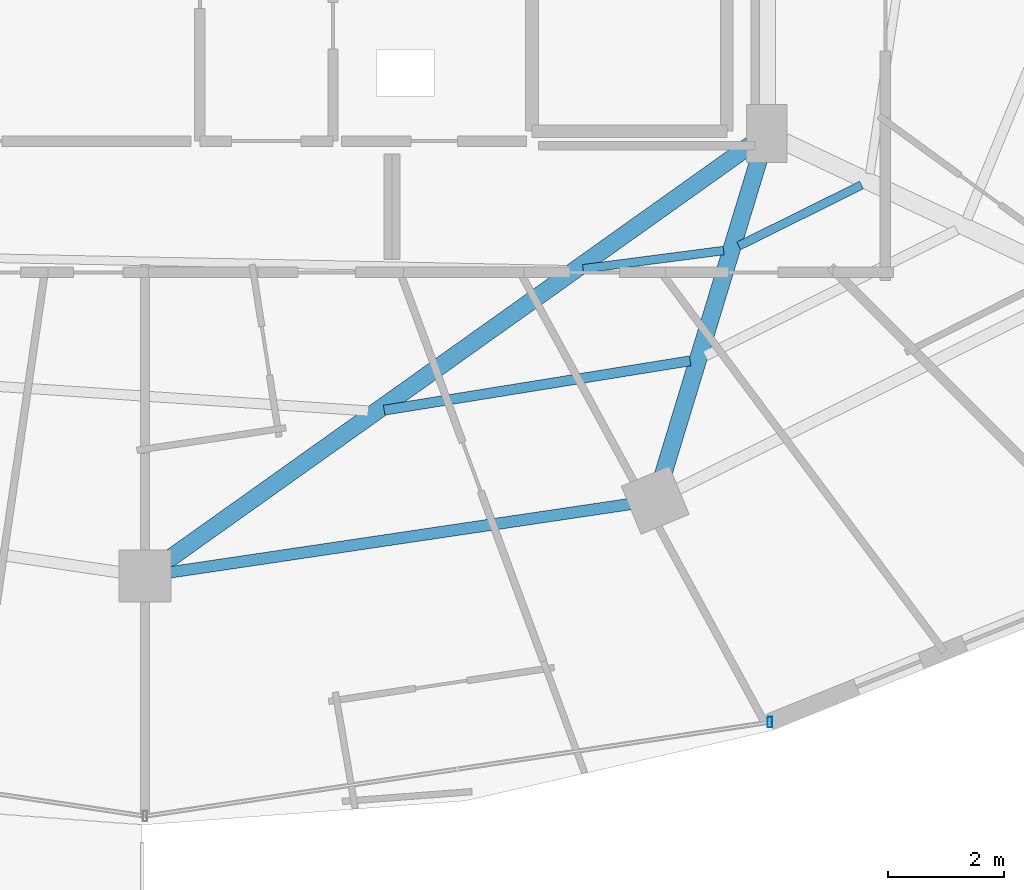
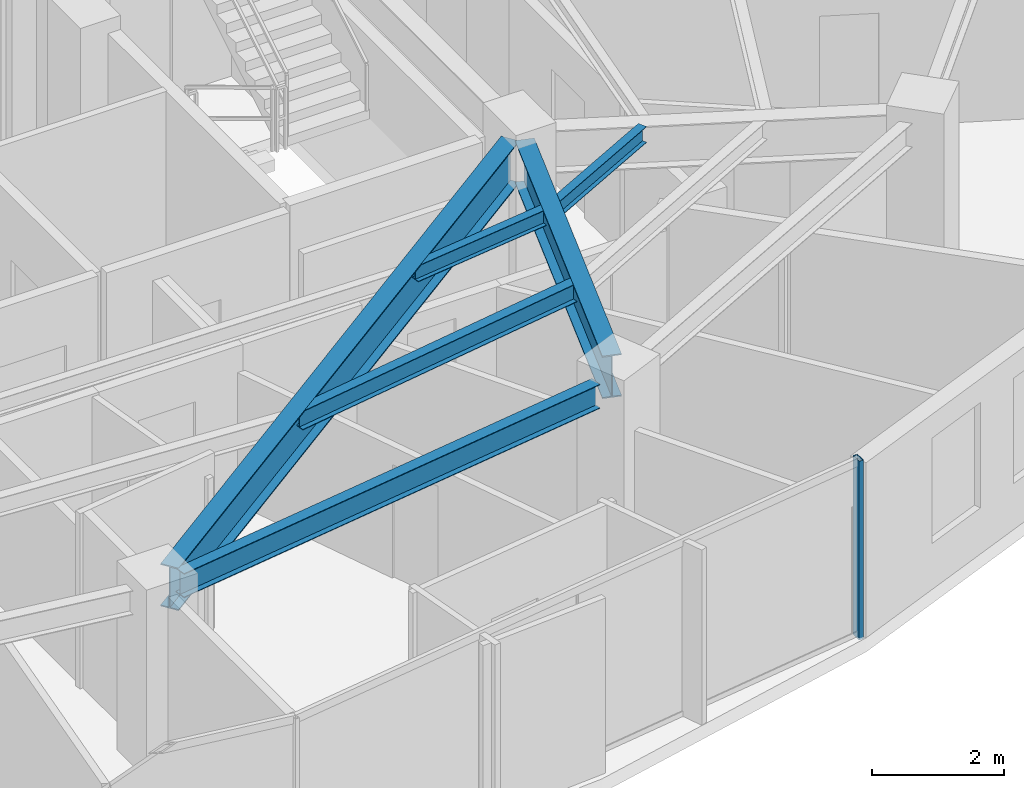
# One storey, part 11 of 34: 6 beams, 1 member, 1 element without a shape of its own.
"""IFC4 building model written with IfcOpenShell, lengths in metres."""

import ifcopenshell
import ifcopenshell.guid

model = None  # the IFC model being written
_history = None  # IfcOwnerHistory: only IFC2X3 demands one
_inside = {}  # id of a spatial element -> (the spatial element, [elements in it])
_under = {}  # id of a project, library or spatial element -> (it, [spatial elements below it])
_declared = {}  # id of a project -> (the project, [libraries it declares])
_typed = {}  # id of a type object -> (the type object, [elements of that type])
_made_of = {}  # id of a material, layer set ... -> (it, [elements and type objects made of it])


def new_model(schema):
    """Start an empty IFC model of exactly this schema.

    Asked for "IFC4X3", IfcOpenShell would pick the latest addendum, in which some entities
    have other attributes; the version numbers below select the first issue.
    IFC2X3 requires an IfcOwnerHistory on every rooted entity: one is made here for all.
    """
    global model, _history
    if schema == "IFC4X3":
        model = ifcopenshell.file(schema_version=(4, 3, 0, 0))
    else:
        model = ifcopenshell.file(schema=schema)
    _inside.clear()
    _under.clear()
    _declared.clear()
    _typed.clear()
    _made_of.clear()
    _history = None
    if model.schema == "IFC2X3":
        org = make("IfcOrganization", Name="unknown")
        user = make(
            "IfcPersonAndOrganization",
            ThePerson=make("IfcPerson", FamilyName="unknown"),
            TheOrganization=org,
        )
        app = make(
            "IfcApplication",
            ApplicationDeveloper=org,
            Version="unknown",
            ApplicationFullName="unknown",
            ApplicationIdentifier="unknown",
        )
        _history = make(
            "IfcOwnerHistory",
            OwningUser=user,
            OwningApplication=app,
            ChangeAction="ADDED",
            CreationDate=0,
        )
    return model


def make(cls, **values):
    """One entity of the class cls with the attributes given. An attribute that is None is left unset."""
    return model.create_entity(
        cls, **{name: value for name, value in values.items() if value is not None}
    )


def rooted(cls, **values):
    """An entity with a GlobalId (a new one), such as an element, a storey or a relation."""
    return make(cls, GlobalId=ifcopenshell.guid.new(), OwnerHistory=_history, **values)


def si_unit(unit_type, name, prefix=None):
    """IfcSIUnit, for example si_unit("LENGTHUNIT", "METRE", prefix="MILLI")."""
    return make("IfcSIUnit", UnitType=unit_type, Prefix=prefix, Name=name)


def assignment(units):
    """IfcUnitAssignment: the units of a project."""
    return None if units is None else make("IfcUnitAssignment", Units=units)


def point(xyz):
    """IfcCartesianPoint."""
    return None if xyz is None else make("IfcCartesianPoint", Coordinates=xyz)


def direction(xyz):
    """IfcDirection."""
    return None if xyz is None else make("IfcDirection", DirectionRatios=xyz)


def frame(location, z_axis=None, x_axis=None):
    """IfcAxis2Placement3D, a coordinate frame: its origin and axes. An axis left out is left unset."""
    return make(
        "IfcAxis2Placement3D",
        Location=point(location),
        Axis=direction(z_axis),
        RefDirection=direction(x_axis),
    )


def frame_2d(location, x_axis=None):
    """IfcAxis2Placement2D, a coordinate frame in the plane: its origin and x axis."""
    return make(
        "IfcAxis2Placement2D", Location=point(location), RefDirection=direction(x_axis)
    )


def origin():
    """The frame at (0, 0, 0) with its axes left unset."""
    return frame((0.0, 0.0, 0.0))


def origin_2d():
    """The frame at (0, 0) in the plane with its x axis left unset."""
    return frame_2d((0.0, 0.0))


def place(relative_to, where):
    """IfcLocalPlacement: puts the frame where relative to a parent placement (None: the world)."""
    return make(
        "IfcLocalPlacement", PlacementRelTo=relative_to, RelativePlacement=where
    )


def context(
    kind, dimensions, precision=None, world=None, true_north=None, identifier=None
):
    """IfcGeometricRepresentationContext, for example the 3D "Model" context."""
    return make(
        "IfcGeometricRepresentationContext",
        ContextIdentifier=identifier,
        ContextType=kind,
        CoordinateSpaceDimension=dimensions,
        Precision=precision,
        WorldCoordinateSystem=world,
        TrueNorth=true_north,
    )


def subcontext(parent, identifier, kind, view, scale=None):
    """IfcGeometricRepresentationSubContext, for example "Body" below "Model"."""
    return make(
        "IfcGeometricRepresentationSubContext",
        ContextIdentifier=identifier,
        ContextType=kind,
        ParentContext=parent,
        TargetScale=scale,
        TargetView=view,
    )


def project(units=None, contexts=None):
    """IfcProject with its units and contexts."""
    return rooted(
        "IfcProject",
        Name="project",
        RepresentationContexts=contexts,
        UnitsInContext=assignment(units),
    )


def spatial(cls, under=None, at=None, **own):
    """A site, building, storey or space (cls), placed at a placement, below another one or the project."""
    s = rooted(cls, ObjectPlacement=at, **own)
    if under is not None:
        _under.setdefault(under.id(), (under, []))[1].append(s)
    return s


def profile(cls, at=None, kind="AREA", **sizes):
    """A parametric profile (cls). Its sizes go by their IFC names, for example OverallWidth=200.0."""
    return make(cls, ProfileType=kind, Position=at, **sizes)


def hollow_rectangle(**sizes):
    """IfcRectangleHollowProfileDef."""
    return profile("IfcRectangleHollowProfileDef", **sizes)


def i_section(**sizes):
    """IfcIShapeProfileDef."""
    return profile("IfcIShapeProfileDef", **sizes)


def extrude(swept, where, along, depth):
    """IfcExtrudedAreaSolid: the profile swept, set in the frame where, extruded along a direction by depth."""
    return make(
        "IfcExtrudedAreaSolid",
        SweptArea=swept,
        Position=where,
        ExtrudedDirection=direction(along),
        Depth=depth,
    )


def shape(context_of_items, identifier, shape_type, items):
    """IfcShapeRepresentation: the items that make up one representation, for example the "Body"."""
    return make(
        "IfcShapeRepresentation",
        ContextOfItems=context_of_items,
        RepresentationIdentifier=identifier,
        RepresentationType=shape_type,
        Items=items,
    )


def material(Name=None, Category=None):
    """IfcMaterial."""
    return make("IfcMaterial", Name=Name, Category=Category)


def material_profile(
    of_material, cross_section, Name=None, Category=None, Priority=None
):
    """IfcMaterialProfile: a cross section and its material."""
    return make(
        "IfcMaterialProfile",
        Name=Name,
        Material=of_material,
        Profile=cross_section,
        Priority=Priority,
        Category=Category,
    )


def profile_set(profiles, Name=None, composite=None):
    """IfcMaterialProfileSet."""
    return make(
        "IfcMaterialProfileSet",
        Name=Name,
        MaterialProfiles=profiles,
        CompositeProfile=composite,
    )


def made_of(thing, what):
    """Note that an element or type object is made of a material, layer set ...; save() writes the relation."""
    if what is not None:
        _made_of.setdefault(what.id(), (what, []))[1].append(thing)
    return thing


def type_object(cls, material=None, **own):
    """A type object (cls), such as IfcWallType, which elements share."""
    return made_of(rooted(cls, **own), material)


def element(
    cls,
    number,
    at=None,
    inside=None,
    cuts=None,
    type_object=None,
    material=None,
    context=None,
    identifier="Body",
    shape_type=None,
    held_by="IfcProductDefinitionShape",
    body=None,
    shapes=None,
    **own,
):
    """One element of the class cls, such as IfcWall. Its Tag is "e" and its number.

    at: its placement. inside: the storey or other place that contains it. cuts: it is an
    opening in that element (IfcRelVoidsElement). A single representation is given by context,
    identifier, shape_type and body (its items); several are given by shapes. held_by: the class
    of the entity that holds the representations. save() writes the other relations.
    """
    e = rooted(cls, Tag="e%d" % number, ObjectPlacement=at, **own)
    if body is not None:
        shapes = [shape(context, identifier, shape_type, body)]
    if shapes is not None:
        e.Representation = make(held_by, Representations=shapes)
    if inside is not None:
        _inside.setdefault(inside.id(), (inside, []))[1].append(e)
    if cuts is not None:
        rooted(
            "IfcRelVoidsElement", RelatingBuildingElement=cuts, RelatedOpeningElement=e
        )
    if type_object is not None:
        _typed.setdefault(type_object.id(), (type_object, []))[1].append(e)
    return made_of(e, material)


def aggregate(whole, parts):
    """IfcRelAggregates: a whole, such as a stair, and the parts it consists of."""
    return rooted("IfcRelAggregates", RelatingObject=whole, RelatedObjects=parts)


def save(model, path):
    """Write the relations noted so far, then the file.

    IfcRelAggregates (storeys below a building ...), IfcRelContainedInSpatialStructure (elements
    in a storey), IfcRelDefinesByType, IfcRelAssociatesMaterial and IfcRelDeclares: one each for
    every whole, place, type object, material and project.
    """
    for whole, parts in _under.values():
        aggregate(whole, parts)
    for where, things in _inside.values():
        rooted(
            "IfcRelContainedInSpatialStructure",
            RelatedElements=things,
            RelatingStructure=where,
        )
    for kind, things in _typed.values():
        rooted("IfcRelDefinesByType", RelatedObjects=things, RelatingType=kind)
    for what, things in _made_of.values():
        rooted("IfcRelAssociatesMaterial", RelatedObjects=things, RelatingMaterial=what)
    for by, libraries in _declared.values():
        rooted("IfcRelDeclares", RelatingContext=by, RelatedDefinitions=libraries)
    model.write(path)


model = new_model("IFC4")

# Units and contexts
model_context = context("Model", 3, precision=1e-05, world=origin(), true_north=direction((0.0, 1.0)))
body_context = subcontext(model_context, "Body", "Model", "MODEL_VIEW")
ifc_project = project(units=[si_unit("LENGTHUNIT", "METRE"), si_unit("AREAUNIT", "SQUARE_METRE"), si_unit("VOLUMEUNIT", "CUBIC_METRE"), si_unit("PLANEANGLEUNIT", "RADIAN"), si_unit("MASSUNIT", "GRAM", prefix="KILO")], contexts=[model_context])

# Site, building, storey
site_placement = place(None, origin())
site = spatial("IfcSite", under=ifc_project, at=site_placement, CompositionType="ELEMENT")
building_placement = place(site_placement, origin())
building = spatial("IfcBuilding", under=site, at=building_placement, Name="Vorneva Point Tower", CompositionType="ELEMENT")
storey_placement = place(building_placement, frame((0.0, 0.0, 182.60009765625)))
storey = spatial("IfcBuildingStorey", under=building, at=storey_placement, Name="L49", CompositionType="ELEMENT", Elevation=182.60009765625)

# Beams
ifc_material_1 = material(Name="Steel S355", Category="steel")
ifc_material_profile_1 = material_profile(ifc_material_1, i_section(OverallWidth=0.300048828125, OverallDepth=0.7880859375, WebThickness=0.014404296875, FlangeThickness=0.02197265625, at=origin_2d()), Name="80Sh1")
ifc_profile_set_1 = profile_set([ifc_material_profile_1], Name="Steel S355")
beam_type_1 = type_object("IfcBeamType", Name="BM-GRD-80Sh1", PredefinedType="USERDEFINED", material=ifc_profile_set_1)
beam_1_placement = place(storey_placement, frame((38.35693359375, 9.053955078125, 2.845947265625), z_axis=(0.814749933852, 0.579812508737, 0.0), x_axis=(-0.579812508737, 0.814749933852, 0.0)))
element("IfcBeam", 1, at=beam_1_placement, inside=storey, type_object=beam_type_1, Name="L49 Radial Primary Girder 13", ObjectType="GIRDER", PredefinedType="USERDEFINED", context=body_context, shape_type="SweptSolid", body=[
    extrude(i_section(OverallWidth=0.300048828125, OverallDepth=0.7880859375, WebThickness=0.014404296875, FlangeThickness=0.02197265625, at=origin_2d()), origin(), (0.0, 0.0, 1.0), 12.416015625),
])
beam_2_placement = place(storey_placement, frame((46.948486328125, 10.5283203125, 2.845947265625), z_axis=(0.291025429135, 0.956715317948, 0.0), x_axis=(-0.956715317948, 0.291025429135, 0.0)))
element("IfcBeam", 2, at=beam_2_placement, inside=storey, type_object=beam_type_1, Name="L49 Radial Primary Girder 14", ObjectType="GIRDER", PredefinedType="USERDEFINED", context=body_context, shape_type="SweptSolid", body=[
    extrude(i_section(OverallWidth=0.300048828125, OverallDepth=0.7880859375, WebThickness=0.014404296875, FlangeThickness=0.02197265625, at=origin_2d()), origin(), (0.0, 0.0, 1.0), 5.849609375),
])
ifc_material_profile_2 = material_profile(ifc_material_1, i_section(OverallWidth=0.14892578125, OverallDepth=0.298095703125, WebThickness=0.005615234375, FlangeThickness=0.008056640625, at=origin_2d()), Name="30B1")
ifc_profile_set_2 = profile_set([ifc_material_profile_2], Name="Steel S355")
beam_type_2 = type_object("IfcBeamType", Name="BM-JST-30B1", PredefinedType="JOIST", material=ifc_profile_set_2)
beam_3_placement = place(storey_placement, frame((45.574951171875, 14.111083984375, 3.0908203125), z_axis=(0.991593183209, 0.129394586489, 0.0), x_axis=(-0.129394586489, 0.991593183209, 0.0)))
element("IfcBeam", 3, at=beam_3_placement, inside=storey, type_object=beam_type_2, Name="L49 Secondary Floor Beam 2.13", PredefinedType="JOIST", context=body_context, shape_type="SweptSolid", body=[
    extrude(i_section(OverallWidth=0.14892578125, OverallDepth=0.298095703125, WebThickness=0.005615234375, FlangeThickness=0.008056640625, at=origin_2d()), origin(), (0.0, 0.0, 1.0), 2.448974609375),
])
beam_4_placement = place(storey_placement, frame((48.263916015625, 14.507080078125, 3.0908203125), z_axis=(0.895946483514, 0.4441620185, 0.0), x_axis=(-0.4441620185, 0.895946483514, 0.0)))
element("IfcBeam", 4, at=beam_4_placement, inside=storey, type_object=beam_type_2, Name="L49 Secondary Floor Beam 2.14", PredefinedType="JOIST", context=body_context, shape_type="SweptSolid", body=[
    extrude(i_section(OverallWidth=0.14892578125, OverallDepth=0.298095703125, WebThickness=0.005615234375, FlangeThickness=0.008056640625, at=origin_2d()), origin(), (0.0, 0.0, 1.0), 2.3701171875),
])
ifc_material_profile_3 = material_profile(ifc_material_1, i_section(OverallWidth=0.174072265625, OverallDepth=0.345947265625, WebThickness=0.006103515625, FlangeThickness=0.009033203125, at=origin_2d()), Name="35B1")
ifc_profile_set_3 = profile_set([ifc_material_profile_3], Name="Steel S355")
beam_type_3 = type_object("IfcBeamType", Name="BM-SEC-35B1", PredefinedType="BEAM", material=ifc_profile_set_3)
beam_5_placement = place(storey_placement, frame((42.135009765625, 11.66748046875, 3.06689453125), z_axis=(0.987232801798, 0.159284007527, 0.0), x_axis=(-0.159284007527, 0.987232801798, 0.0)))
element("IfcBeam", 5, at=beam_5_placement, inside=storey, type_object=beam_type_3, Name="L49 Secondary Floor Beam 1.13", PredefinedType="BEAM", context=body_context, shape_type="SweptSolid", body=[
    extrude(i_section(OverallWidth=0.174072265625, OverallDepth=0.345947265625, WebThickness=0.006103515625, FlangeThickness=0.009033203125, at=origin_2d()), origin(), (0.0, 0.0, 1.0), 5.3583984375),
])
ifc_material_profile_4 = material_profile(ifc_material_1, i_section(OverallWidth=0.198974609375, OverallDepth=0.446044921875, WebThickness=0.008056640625, FlangeThickness=0.011962890625, at=origin_2d()), Name="45B1")
ifc_profile_set_4 = profile_set([ifc_material_profile_4], Name="Steel S355")
beam_type_4 = type_object("IfcBeamType", Name="BM-SPN-45B1", PredefinedType="SPANDREL", material=ifc_profile_set_4)
beam_6_placement = place(storey_placement, frame((38.430419921875, 8.864013671875, 3.016845703125), z_axis=(0.989165476332, 0.146804837907, 0.0), x_axis=(-0.146804837907, 0.989165476332, 0.0)))
element("IfcBeam", 6, at=beam_6_placement, inside=storey, type_object=beam_type_4, Name="L49 Perimeter Spandrel Ring Beam 13", PredefinedType="SPANDREL", context=body_context, shape_type="SweptSolid", body=[
    extrude(i_section(OverallWidth=0.198974609375, OverallDepth=0.446044921875, WebThickness=0.008056640625, FlangeThickness=0.011962890625, at=origin_2d()), origin(), (0.0, 0.0, 1.0), 8.04736328125),
])

# Curtain wall, member
ifc_material_2 = material(Name="Pale anodised aluminium", Category="aluminium")
curtain_wall_type = type_object("IfcCurtainWallType", Name="CW-RES-SYS", PredefinedType="NOTDEFINED", material=ifc_material_2)
curtain_wall_placement = place(storey_placement, origin())
curtain_wall = element("IfcCurtainWall", 7, at=curtain_wall_placement, inside=storey, type_object=curtain_wall_type, Name="L49 Unitised Curtain Wall CW-L49-R03", PredefinedType="NOTDEFINED")
ifc_material_profile_5 = material_profile(ifc_material_2, hollow_rectangle(XDim=0.074951171875, YDim=0.179931640625, WallThickness=0.00390625, at=origin_2d()), Name="AL-MUL 180x75x4")
ifc_profile_set_5 = profile_set([ifc_material_profile_5], Name="Pale anodised aluminium")
member_type = type_object("IfcMemberType", Name="CW-MUL-180", PredefinedType="MULLION", material=ifc_profile_set_5)
member_placement = place(storey_placement, frame((48.80322265625, 6.275146484375, -0.0400390625), z_axis=(0.0, 0.0, 1.0), x_axis=(1.0, 0.0, 0.0)))
member = element("IfcMember", 8, at=member_placement, type_object=member_type, Name="CW-L49-R03 Mullion 05", PredefinedType="MULLION", context=body_context, shape_type="SweptSolid", body=[
    extrude(hollow_rectangle(XDim=0.074951171875, YDim=0.179931640625, WallThickness=0.00390625, at=origin_2d()), origin(), (0.0, 0.0, 1.0), 3.31005859375),
])
aggregate(curtain_wall, [member])

save(model, "model.ifc")
